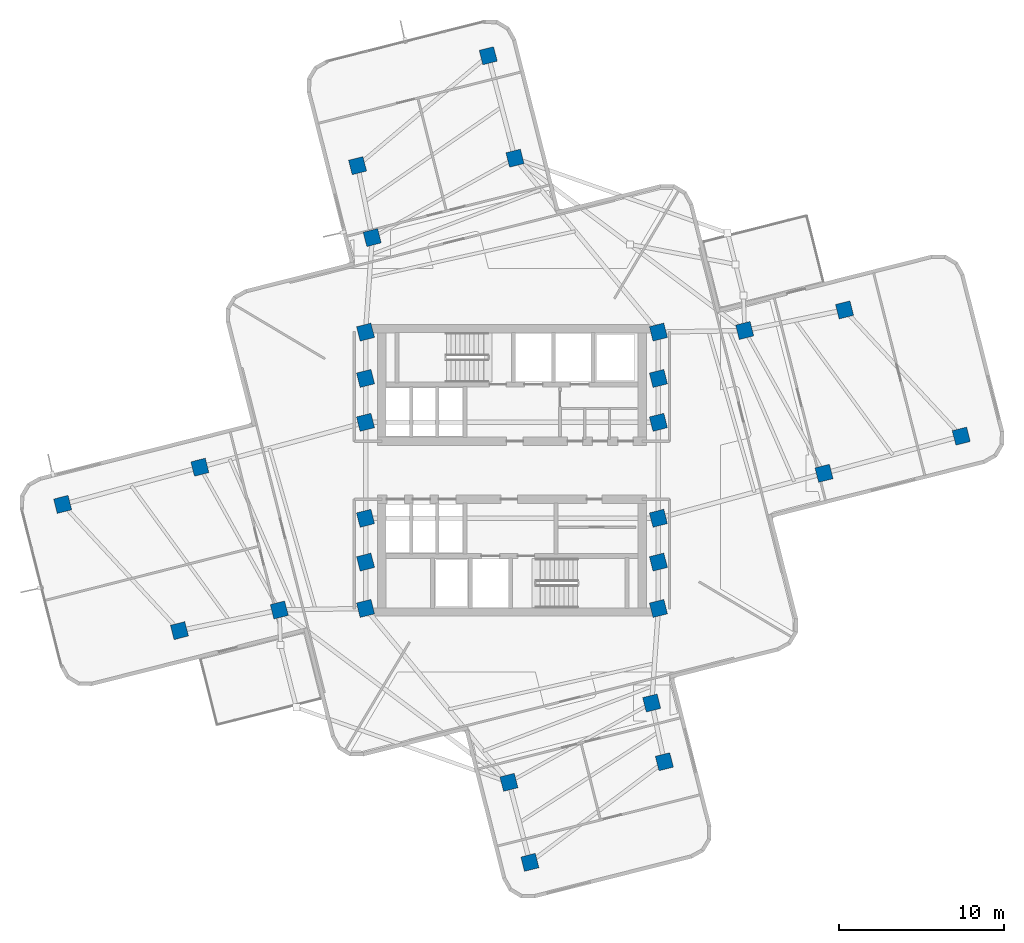
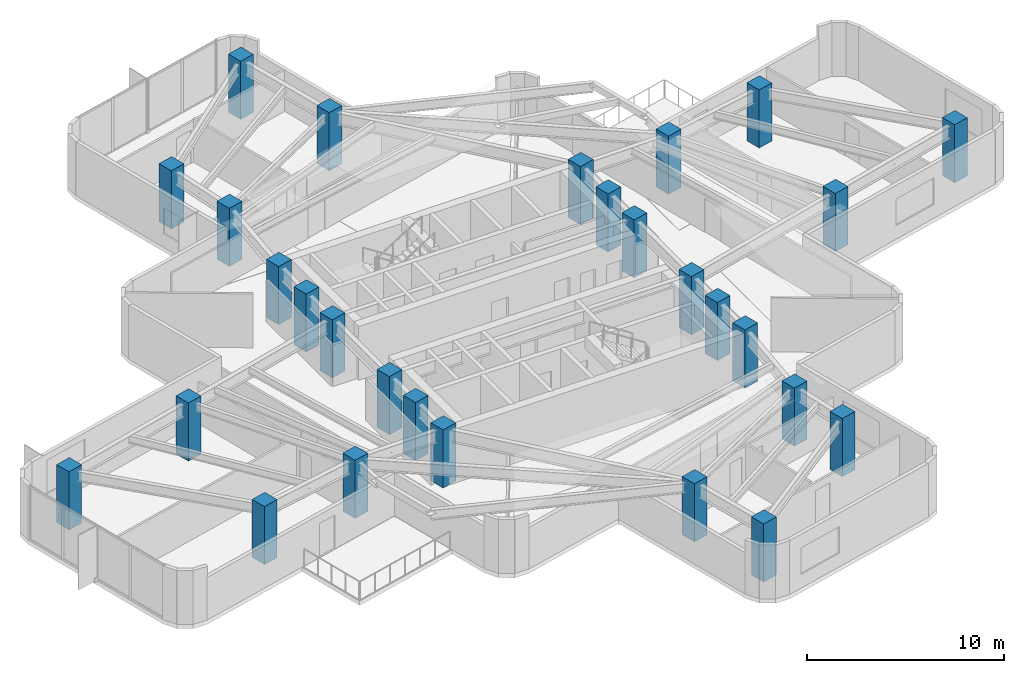
# One storey, part 1 of 11: 28 columns.
"""IFC4 building model written with IfcOpenShell, lengths in metres."""

from ifc_helpers import new_model, si_unit, direction, frame, origin, origin_2d, place, context, subcontext, project, spatial, rectangle, extrude, material, material_profile, profile_set, type_object, element, save


model = new_model("IFC4")

# Units and contexts
model_context = context("Model", 3, precision=1e-05, world=origin(), true_north=direction((0.0, 1.0)))
body_context = subcontext(model_context, "Body", "Model", "MODEL_VIEW")
ifc_project = project(units=[si_unit("LENGTHUNIT", "METRE"), si_unit("AREAUNIT", "SQUARE_METRE"), si_unit("VOLUMEUNIT", "CUBIC_METRE"), si_unit("PLANEANGLEUNIT", "RADIAN"), si_unit("MASSUNIT", "GRAM", prefix="KILO")], contexts=[model_context])

# Site, building, storey
site_placement = place(None, origin())
site = spatial("IfcSite", under=ifc_project, at=site_placement, CompositionType="ELEMENT")
building_placement = place(site_placement, origin())
building = spatial("IfcBuilding", under=site, at=building_placement, Name="Solmarez Civic Tower", CompositionType="ELEMENT")
storey_placement = place(building_placement, frame((0.0, 0.0, 127.080078125)))
storey = spatial("IfcBuildingStorey", under=building, at=storey_placement, Name="L33", CompositionType="ELEMENT", Elevation=127.080078125)

# Columns
ifc_material = material(Name="Concrete C50/60", Category="concrete")
ifc_material_profile = material_profile(ifc_material, rectangle(XDim=0.89990234375, YDim=0.89990234375, at=origin_2d()), Name="RC900X900")
ifc_profile_set = profile_set([ifc_material_profile], Name="Concrete C50/60")
column_type = type_object("IfcColumnType", Name="COL-RC900", PredefinedType="COLUMN", material=ifc_profile_set)
for number, where, z_axis, x_axis, name in (
    (1, (-8.85009765625, -5.550048828125, 0.0), (0.0, 0.0, 1.0), (0.969445349895, 0.245307385879, 0.0), "L33 Structural Column HC1"),
    (2, (-8.85009765625, -2.89990234375, 0.0), (0.0, 0.0, 1.0), (0.969445349895, 0.245307385879, 0.0), "L33 Structural Column HC2"),
    (3, (-8.85009765625, 2.89990234375, 0.0), (0.0, 0.0, 1.0), (0.969445349895, 0.245307385879, 0.0), "L33 Structural Column HC3"),
    (4, (-8.85009765625, 5.550048828125, 0.0), (0.0, 0.0, 1.0), (0.969445349895, 0.245307385879, 0.0), "L33 Structural Column HC4"),
    (5, (8.85009765625, -5.550048828125, 0.0), (0.0, 0.0, 1.0), (0.969445349895, 0.245307385879, 0.0), "L33 Structural Column HC5"),
    (6, (8.85009765625, -2.89990234375, 0.0), (0.0, 0.0, 1.0), (0.969445349895, 0.245307385879, 0.0), "L33 Structural Column HC6"),
    (7, (8.85009765625, 2.89990234375, 0.0), (0.0, 0.0, 1.0), (0.969445349895, 0.245307385879, 0.0), "L33 Structural Column HC7"),
    (8, (8.85009765625, 5.550048828125, 0.0), (0.0, 0.0, 1.0), (0.969445349895, 0.245307385879, 0.0), "L33 Structural Column HC8"),
    (9, (-8.85009765625, 8.35009765625, 0.0), (0.0, 0.0, 1.0), (0.969445349895, 0.245307385879, 0.0), "L33 Structural Column HC9"),
    (10, (8.85009765625, -8.35009765625, 0.0), (0.0, 0.0, 1.0), (0.969445349895, 0.245307385879, 0.0), "L33 Structural Column HC10"),
    (11, (8.85009765625, 8.35009765625, 0.0), (0.0, 0.0, 1.0), (0.969445349895, 0.245307385879, 0.0), "L33 Structural Column HC11"),
    (12, (-8.85009765625, -8.35009765625, 0.0), (0.0, 0.0, 1.0), (0.969445349895, 0.245307385879, 0.0), "L33 Structural Column HC12"),
    (13, (18.860107421875, -0.18310546875, 0.0), (0.0, 0.0, 1.0), (0.969445349895, 0.245307385879, 0.0), "L33 Structural Column EA11"),
    (14, (14.06396484375, 8.445068359375, 0.0), (0.0, 0.0, 1.0), (0.969445349895, 0.245307385879, 0.0), "L33 Structural Column EA12"),
    (15, (27.153076171875, 2.06396484375, 0.0), (0.0, 0.0, 1.0), (0.969445349895, 0.245307385879, 0.0), "L33 Structural Column EA21"),
    (16, (20.097900390625, 9.69189453125, 0.0), (0.0, 0.0, 1.0), (0.969445349895, 0.245307385879, 0.0), "L33 Structural Column EA22"),
    (17, (0.18310546875, 18.860107421875, 0.0), (0.0, 0.0, 1.0), (0.969445349895, 0.245307385879, 0.0), "L33 Structural Column NA11"),
    (18, (-8.445068359375, 14.06396484375, 0.0), (0.0, 0.0, 1.0), (0.969445349895, 0.245307385879, 0.0), "L33 Structural Column NA12"),
    (19, (-1.43701171875, 25.052001953125, 0.0), (0.0, 0.0, 1.0), (0.969445349895, 0.245307385879, 0.0), "L33 Structural Column NA21"),
    (20, (-9.3330078125, 18.408935546875, 0.0), (0.0, 0.0, 1.0), (0.969445349895, 0.245307385879, 0.0), "L33 Structural Column NA22"),
    (21, (-18.860107421875, 0.18310546875, 0.0), (0.0, 0.0, 1.0), (0.969445349895, 0.245307385879, 0.0), "L33 Structural Column WA11"),
    (22, (-14.06396484375, -8.445068359375, 0.0), (0.0, 0.0, 1.0), (0.969445349895, 0.245307385879, 0.0), "L33 Structural Column WA12"),
    (23, (-27.153076171875, -2.06396484375, 0.0), (0.0, 0.0, 1.0), (0.969445349895, 0.245307385879, 0.0), "L33 Structural Column WA21"),
    (24, (-20.097900390625, -9.69189453125, 0.0), (0.0, 0.0, 1.0), (0.969445349895, 0.245307385879, 0.0), "L33 Structural Column WA22"),
    (25, (-0.18310546875, -18.860107421875, 0.0), (0.0, 0.0, 1.0), (0.969445349895, 0.245307385879, 0.0), "L33 Structural Column SA11"),
    (26, (8.445068359375, -14.06396484375, 0.0), (0.0, 0.0, 1.0), (0.969445349895, 0.245307385879, 0.0), "L33 Structural Column SA12"),
    (27, (1.0830078125, -23.697021484375, 0.0), (0.0, 0.0, 1.0), (0.969445349895, 0.245307385879, 0.0), "L33 Structural Column SA21"),
    (28, (9.2080078125, -17.614990234375, 0.0), (0.0, 0.0, 1.0), (0.969445349895, 0.245307385879, 0.0), "L33 Structural Column SA22"),
):
    element("IfcColumn", number, at=place(storey_placement, frame(where, z_axis=z_axis, x_axis=x_axis)), inside=storey, type_object=column_type, Name=name, PredefinedType="COLUMN", context=body_context, shape_type="SweptSolid", body=[
        extrude(rectangle(XDim=0.89990234375, YDim=0.89990234375, at=origin_2d()), origin(), (0.0, 0.0, 1.0), 3.599853515625),
    ])

save(model, "model.ifc")
